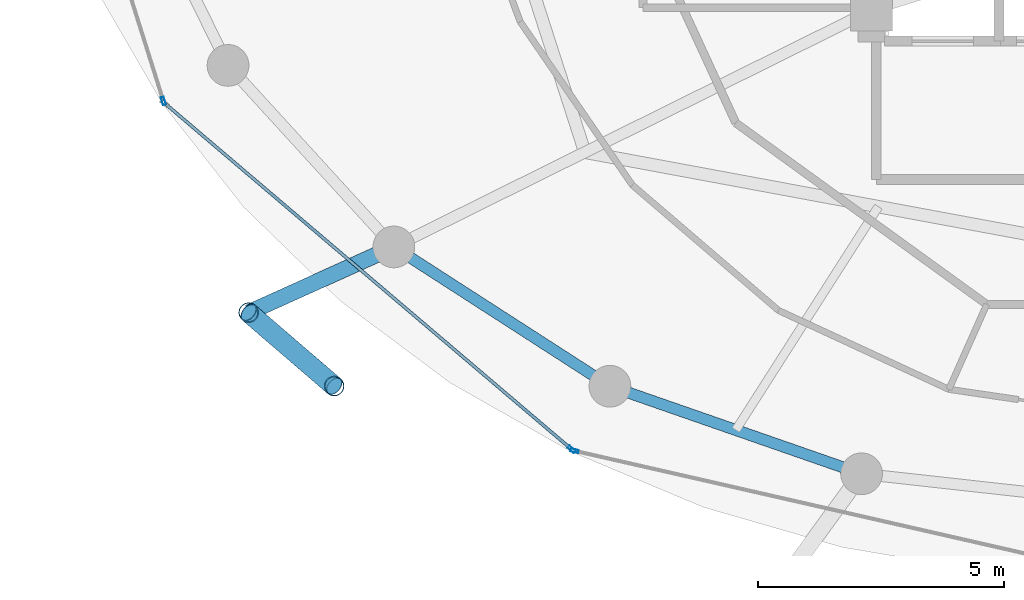
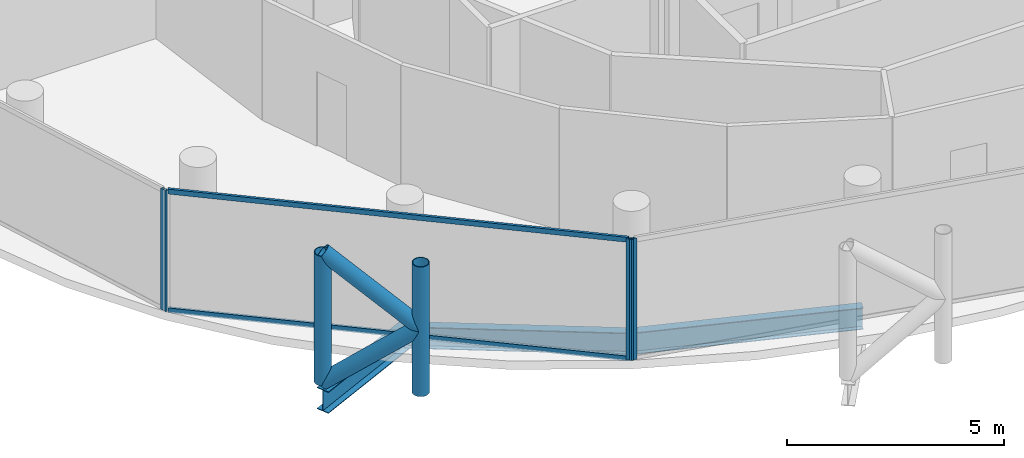
# One storey, part 2 of 27: 9 members, 3 beams, 3 elements without a shape of their own.
"""IFC4 building model written with IfcOpenShell, lengths in metres."""

import ifcopenshell
import ifcopenshell.guid

model = None  # the IFC model being written
_history = None  # IfcOwnerHistory: only IFC2X3 demands one
_inside = {}  # id of a spatial element -> (the spatial element, [elements in it])
_under = {}  # id of a project, library or spatial element -> (it, [spatial elements below it])
_declared = {}  # id of a project -> (the project, [libraries it declares])
_typed = {}  # id of a type object -> (the type object, [elements of that type])
_made_of = {}  # id of a material, layer set ... -> (it, [elements and type objects made of it])


def new_model(schema):
    """Start an empty IFC model of exactly this schema.

    Asked for "IFC4X3", IfcOpenShell would pick the latest addendum, in which some entities
    have other attributes; the version numbers below select the first issue.
    IFC2X3 requires an IfcOwnerHistory on every rooted entity: one is made here for all.
    """
    global model, _history
    if schema == "IFC4X3":
        model = ifcopenshell.file(schema_version=(4, 3, 0, 0))
    else:
        model = ifcopenshell.file(schema=schema)
    _inside.clear()
    _under.clear()
    _declared.clear()
    _typed.clear()
    _made_of.clear()
    _history = None
    if model.schema == "IFC2X3":
        org = make("IfcOrganization", Name="unknown")
        user = make(
            "IfcPersonAndOrganization",
            ThePerson=make("IfcPerson", FamilyName="unknown"),
            TheOrganization=org,
        )
        app = make(
            "IfcApplication",
            ApplicationDeveloper=org,
            Version="unknown",
            ApplicationFullName="unknown",
            ApplicationIdentifier="unknown",
        )
        _history = make(
            "IfcOwnerHistory",
            OwningUser=user,
            OwningApplication=app,
            ChangeAction="ADDED",
            CreationDate=0,
        )
    return model


def make(cls, **values):
    """One entity of the class cls with the attributes given. An attribute that is None is left unset."""
    return model.create_entity(
        cls, **{name: value for name, value in values.items() if value is not None}
    )


def rooted(cls, **values):
    """An entity with a GlobalId (a new one), such as an element, a storey or a relation."""
    return make(cls, GlobalId=ifcopenshell.guid.new(), OwnerHistory=_history, **values)


def si_unit(unit_type, name, prefix=None):
    """IfcSIUnit, for example si_unit("LENGTHUNIT", "METRE", prefix="MILLI")."""
    return make("IfcSIUnit", UnitType=unit_type, Prefix=prefix, Name=name)


def assignment(units):
    """IfcUnitAssignment: the units of a project."""
    return None if units is None else make("IfcUnitAssignment", Units=units)


def point(xyz):
    """IfcCartesianPoint."""
    return None if xyz is None else make("IfcCartesianPoint", Coordinates=xyz)


def direction(xyz):
    """IfcDirection."""
    return None if xyz is None else make("IfcDirection", DirectionRatios=xyz)


def frame(location, z_axis=None, x_axis=None):
    """IfcAxis2Placement3D, a coordinate frame: its origin and axes. An axis left out is left unset."""
    return make(
        "IfcAxis2Placement3D",
        Location=point(location),
        Axis=direction(z_axis),
        RefDirection=direction(x_axis),
    )


def frame_2d(location, x_axis=None):
    """IfcAxis2Placement2D, a coordinate frame in the plane: its origin and x axis."""
    return make(
        "IfcAxis2Placement2D", Location=point(location), RefDirection=direction(x_axis)
    )


def origin():
    """The frame at (0, 0, 0) with its axes left unset."""
    return frame((0.0, 0.0, 0.0))


def origin_2d():
    """The frame at (0, 0) in the plane with its x axis left unset."""
    return frame_2d((0.0, 0.0))


def place(relative_to, where):
    """IfcLocalPlacement: puts the frame where relative to a parent placement (None: the world)."""
    return make(
        "IfcLocalPlacement", PlacementRelTo=relative_to, RelativePlacement=where
    )


def context(
    kind, dimensions, precision=None, world=None, true_north=None, identifier=None
):
    """IfcGeometricRepresentationContext, for example the 3D "Model" context."""
    return make(
        "IfcGeometricRepresentationContext",
        ContextIdentifier=identifier,
        ContextType=kind,
        CoordinateSpaceDimension=dimensions,
        Precision=precision,
        WorldCoordinateSystem=world,
        TrueNorth=true_north,
    )


def subcontext(parent, identifier, kind, view, scale=None):
    """IfcGeometricRepresentationSubContext, for example "Body" below "Model"."""
    return make(
        "IfcGeometricRepresentationSubContext",
        ContextIdentifier=identifier,
        ContextType=kind,
        ParentContext=parent,
        TargetScale=scale,
        TargetView=view,
    )


def project(units=None, contexts=None):
    """IfcProject with its units and contexts."""
    return rooted(
        "IfcProject",
        Name="project",
        RepresentationContexts=contexts,
        UnitsInContext=assignment(units),
    )


def spatial(cls, under=None, at=None, **own):
    """A site, building, storey or space (cls), placed at a placement, below another one or the project."""
    s = rooted(cls, ObjectPlacement=at, **own)
    if under is not None:
        _under.setdefault(under.id(), (under, []))[1].append(s)
    return s


def profile(cls, at=None, kind="AREA", **sizes):
    """A parametric profile (cls). Its sizes go by their IFC names, for example OverallWidth=200.0."""
    return make(cls, ProfileType=kind, Position=at, **sizes)


def hollow_rectangle(**sizes):
    """IfcRectangleHollowProfileDef."""
    return profile("IfcRectangleHollowProfileDef", **sizes)


def hollow_circle(**sizes):
    """IfcCircleHollowProfileDef."""
    return profile("IfcCircleHollowProfileDef", **sizes)


def i_section(**sizes):
    """IfcIShapeProfileDef."""
    return profile("IfcIShapeProfileDef", **sizes)


def extrude(swept, where, along, depth):
    """IfcExtrudedAreaSolid: the profile swept, set in the frame where, extruded along a direction by depth."""
    return make(
        "IfcExtrudedAreaSolid",
        SweptArea=swept,
        Position=where,
        ExtrudedDirection=direction(along),
        Depth=depth,
    )


def shape(context_of_items, identifier, shape_type, items):
    """IfcShapeRepresentation: the items that make up one representation, for example the "Body"."""
    return make(
        "IfcShapeRepresentation",
        ContextOfItems=context_of_items,
        RepresentationIdentifier=identifier,
        RepresentationType=shape_type,
        Items=items,
    )


def material(Name=None, Category=None):
    """IfcMaterial."""
    return make("IfcMaterial", Name=Name, Category=Category)


def layer(
    of_material, thickness, ventilated=None, Name=None, Category=None, Priority=None
):
    """IfcMaterialLayer: one layer of a wall or slab, of a material (None: an air gap)."""
    return make(
        "IfcMaterialLayer",
        Material=of_material,
        LayerThickness=thickness,
        IsVentilated=ventilated,
        Name=Name,
        Category=Category,
        Priority=Priority,
    )


def layer_set(layers, Name=None):
    """IfcMaterialLayerSet."""
    return make("IfcMaterialLayerSet", MaterialLayers=layers, LayerSetName=Name)


def material_profile(
    of_material, cross_section, Name=None, Category=None, Priority=None
):
    """IfcMaterialProfile: a cross section and its material."""
    return make(
        "IfcMaterialProfile",
        Name=Name,
        Material=of_material,
        Profile=cross_section,
        Priority=Priority,
        Category=Category,
    )


def profile_set(profiles, Name=None, composite=None):
    """IfcMaterialProfileSet."""
    return make(
        "IfcMaterialProfileSet",
        Name=Name,
        MaterialProfiles=profiles,
        CompositeProfile=composite,
    )


def made_of(thing, what):
    """Note that an element or type object is made of a material, layer set ...; save() writes the relation."""
    if what is not None:
        _made_of.setdefault(what.id(), (what, []))[1].append(thing)
    return thing


def type_object(cls, material=None, **own):
    """A type object (cls), such as IfcWallType, which elements share."""
    return made_of(rooted(cls, **own), material)


def element(
    cls,
    number,
    at=None,
    inside=None,
    cuts=None,
    type_object=None,
    material=None,
    context=None,
    identifier="Body",
    shape_type=None,
    held_by="IfcProductDefinitionShape",
    body=None,
    shapes=None,
    **own,
):
    """One element of the class cls, such as IfcWall. Its Tag is "e" and its number.

    at: its placement. inside: the storey or other place that contains it. cuts: it is an
    opening in that element (IfcRelVoidsElement). A single representation is given by context,
    identifier, shape_type and body (its items); several are given by shapes. held_by: the class
    of the entity that holds the representations. save() writes the other relations.
    """
    e = rooted(cls, Tag="e%d" % number, ObjectPlacement=at, **own)
    if body is not None:
        shapes = [shape(context, identifier, shape_type, body)]
    if shapes is not None:
        e.Representation = make(held_by, Representations=shapes)
    if inside is not None:
        _inside.setdefault(inside.id(), (inside, []))[1].append(e)
    if cuts is not None:
        rooted(
            "IfcRelVoidsElement", RelatingBuildingElement=cuts, RelatedOpeningElement=e
        )
    if type_object is not None:
        _typed.setdefault(type_object.id(), (type_object, []))[1].append(e)
    return made_of(e, material)


def aggregate(whole, parts):
    """IfcRelAggregates: a whole, such as a stair, and the parts it consists of."""
    return rooted("IfcRelAggregates", RelatingObject=whole, RelatedObjects=parts)


def save(model, path):
    """Write the relations noted so far, then the file.

    IfcRelAggregates (storeys below a building ...), IfcRelContainedInSpatialStructure (elements
    in a storey), IfcRelDefinesByType, IfcRelAssociatesMaterial and IfcRelDeclares: one each for
    every whole, place, type object, material and project.
    """
    for whole, parts in _under.values():
        aggregate(whole, parts)
    for where, things in _inside.values():
        rooted(
            "IfcRelContainedInSpatialStructure",
            RelatedElements=things,
            RelatingStructure=where,
        )
    for kind, things in _typed.values():
        rooted("IfcRelDefinesByType", RelatedObjects=things, RelatingType=kind)
    for what, things in _made_of.values():
        rooted("IfcRelAssociatesMaterial", RelatedObjects=things, RelatingMaterial=what)
    for by, libraries in _declared.values():
        rooted("IfcRelDeclares", RelatingContext=by, RelatedDefinitions=libraries)
    model.write(path)


model = new_model("IFC4")

# Units and contexts
model_context = context("Model", 3, precision=1e-05, world=origin(), true_north=direction((0.0, 1.0)))
body_context = subcontext(model_context, "Body", "Model", "MODEL_VIEW")
ifc_project = project(units=[si_unit("LENGTHUNIT", "METRE"), si_unit("AREAUNIT", "SQUARE_METRE"), si_unit("VOLUMEUNIT", "CUBIC_METRE"), si_unit("PLANEANGLEUNIT", "RADIAN"), si_unit("MASSUNIT", "GRAM", prefix="KILO")], contexts=[model_context])

# Site, building, storey
site_placement = place(None, origin())
site = spatial("IfcSite", under=ifc_project, at=site_placement, CompositionType="ELEMENT")
building_placement = place(site_placement, origin())
building = spatial("IfcBuilding", under=site, at=building_placement, Name="Nuhasar Tower", CompositionType="ELEMENT")
storey_placement = place(building_placement, frame((0.0, 0.0, 219.10009765625)))
storey = spatial("IfcBuildingStorey", under=building, at=storey_placement, Name="L53", CompositionType="ELEMENT", Elevation=219.10009765625)

# Beams
ifc_material_1 = material(Name="Steel S355", Category="steel")
ifc_material_profile_1 = material_profile(ifc_material_1, i_section(OverallWidth=0.22802734375, OverallDepth=0.60791015625, WebThickness=0.01123046875, FlangeThickness=0.017333984375, at=origin_2d()), Name="W24X76")
ifc_profile_set_1 = profile_set([ifc_material_profile_1], Name="Steel S355")
beam_type_1 = type_object("IfcBeamType", Name="BM-RING-W24X76", PredefinedType="SPANDREL", material=ifc_profile_set_1)
beam_1_placement = place(storey_placement, frame((23.97412109375, 14.177978515625, -0.544189453125), z_axis=(0.840502144969, -0.541808217272, 0.0), x_axis=(0.541808217272, 0.840502144969, 0.0)))
element("IfcBeam", 1, at=beam_1_placement, inside=storey, type_object=beam_type_1, Name="L53 Perimeter Ring Spandrel 16", PredefinedType="SPANDREL", context=body_context, shape_type="SweptSolid", body=[
    extrude(i_section(OverallWidth=0.22802734375, OverallDepth=0.60791015625, WebThickness=0.01123046875, FlangeThickness=0.017333984375, at=origin_2d()), origin(), (0.0, 0.0, 1.0), 5.236083984375),
])
beam_2_placement = place(storey_placement, frame((28.375, 11.341064453125, -0.544189453125), z_axis=(0.944476764686, -0.328578211342, 0.0), x_axis=(0.328578211342, 0.944476764686, 0.0)))
element("IfcBeam", 2, at=beam_2_placement, inside=storey, type_object=beam_type_1, Name="L53 Perimeter Ring Spandrel 17", PredefinedType="SPANDREL", context=body_context, shape_type="SweptSolid", body=[
    extrude(i_section(OverallWidth=0.22802734375, OverallDepth=0.60791015625, WebThickness=0.01123046875, FlangeThickness=0.017333984375, at=origin_2d()), origin(), (0.0, 0.0, 1.0), 5.42626953125),
])
ifc_material_profile_2 = material_profile(ifc_material_1, i_section(OverallWidth=0.323974609375, OverallDepth=0.611083984375, WebThickness=0.0126953125, FlangeThickness=0.01904296875, at=origin_2d()), Name="W24X104")
ifc_profile_set_2 = profile_set([ifc_material_profile_2], Name="Steel S355")
beam_type_2 = type_object("IfcBeamType", Name="BM-TIE-W24X104", PredefinedType="BEAM", material=ifc_profile_set_2)
beam_3_placement = place(storey_placement, frame((23.97412109375, 14.177978515625, -0.545166015625), z_axis=(-0.911363318082, -0.411602845538, 0.0), x_axis=(0.411602845538, -0.911363318082, 0.0)))
element("IfcBeam", 3, at=beam_3_placement, inside=storey, type_object=beam_type_2, Name="L53 Exoskeleton Node Tie Beam 08", PredefinedType="BEAM", context=body_context, shape_type="SweptSolid", body=[
    extrude(i_section(OverallWidth=0.323974609375, OverallDepth=0.611083984375, WebThickness=0.0126953125, FlangeThickness=0.01904296875, at=origin_2d()), origin(), (0.0, 0.0, 1.0), 3.24560546875),
])

# Curtain wall, member
ifc_material_2 = material(Name="Aluminium 6063-T6", Category="aluminium")
ifc_layer = layer(ifc_material_2, 0.18994140625)
ifc_layer_set = layer_set([ifc_layer], Name="Aluminium 6063-T6")
curtain_wall_type = type_object("IfcCurtainWallType", Name="CW-Z3-RES", PredefinedType="NOTDEFINED", material=ifc_layer_set)
curtain_wall_1_placement = place(storey_placement, origin())
curtain_wall_1 = element("IfcCurtainWall", 4, at=curtain_wall_1_placement, inside=storey, type_object=curtain_wall_type, Name="L53 Unitised Curtain Wall 07", PredefinedType="NOTDEFINED")
ifc_material_profile_3 = material_profile(ifc_material_2, hollow_rectangle(XDim=0.06494140625, YDim=0.169921875, WallThickness=0.0048828125, at=origin_2d()), Name="CWM-4")
ifc_profile_set_3 = profile_set([ifc_material_profile_3], Name="Aluminium 6063-T6")
member_type_1 = type_object("IfcMemberType", Name="CW-MUL-S4", PredefinedType="MULLION", material=ifc_profile_set_3)
member_1_placement = place(storey_placement, frame((19.279296875, 17.15087890625, 0.0), z_axis=(0.0, 0.0, 1.0), x_axis=(0.95380429279, 0.30042864553, 0.0)))
member_1 = element("IfcMember", 5, at=member_1_placement, type_object=member_type_1, Name="CW-Z3 mullion 2", PredefinedType="MULLION", context=body_context, shape_type="SweptSolid", body=[
    extrude(hollow_rectangle(XDim=0.06494140625, YDim=0.169921875, WallThickness=0.0048828125, at=origin_2d()), origin(), (0.0, 0.0, 1.0), 3.409912109375),
])
aggregate(curtain_wall_1, [member_1])

curtain_wall_2_placement = place(storey_placement, origin())
curtain_wall_2 = element("IfcCurtainWall", 6, at=curtain_wall_2_placement, inside=storey, type_object=curtain_wall_type, Name="L53 Unitised Curtain Wall 08", PredefinedType="NOTDEFINED")
member_2_placement = place(storey_placement, frame((27.59521484375, 10.05517578125, 0.0), z_axis=(0.0, 0.0, 1.0), x_axis=(0.64789521578, 0.761729472562, 0.0)))
member_2 = element("IfcMember", 7, at=member_2_placement, type_object=member_type_1, Name="CW-Z3 mullion 2", PredefinedType="MULLION", context=body_context, shape_type="SweptSolid", body=[
    extrude(hollow_rectangle(XDim=0.06494140625, YDim=0.169921875, WallThickness=0.0048828125, at=origin_2d()), origin(), (0.0, 0.0, 1.0), 3.409912109375),
])

curtain_wall_3_placement = place(storey_placement, origin())
curtain_wall_3 = element("IfcCurtainWall", 8, at=curtain_wall_3_placement, inside=storey, type_object=curtain_wall_type, Name="L53 Unitised Curtain Wall 09", PredefinedType="NOTDEFINED")
member_3_placement = place(storey_placement, frame((27.651611328125, 10.02685546875, 0.0), z_axis=(0.0, 0.0, 1.0), x_axis=(0.222243176313, 0.974991266926, 0.0)))
member_3 = element("IfcMember", 9, at=member_3_placement, type_object=member_type_1, Name="CW-Z3 mullion 1", PredefinedType="MULLION", context=body_context, shape_type="SweptSolid", body=[
    extrude(hollow_rectangle(XDim=0.06494140625, YDim=0.169921875, WallThickness=0.0048828125, at=origin_2d()), origin(), (0.0, 0.0, 1.0), 3.409912109375),
])
aggregate(curtain_wall_3, [member_3])

# Member
ifc_material_profile_4 = material_profile(ifc_material_2, hollow_rectangle(XDim=0.06494140625, YDim=0.139892578125, WallThickness=0.00439453125, at=origin_2d()), Name="CWT-4")
ifc_profile_set_4 = profile_set([ifc_material_profile_4], Name="Aluminium 6063-T6")
member_type_2 = type_object("IfcMemberType", Name="CW-TRN-S4", PredefinedType="USERDEFINED", material=ifc_profile_set_4)
member_4_placement = place(storey_placement, frame((19.338623046875, 17.077880859375, 0.032470703125), z_axis=(0.761730809511, -0.647893643928, 0.0), x_axis=(0.647893643928, 0.761730809511, 0.0)))
member_4 = element("IfcMember", 10, at=member_4_placement, type_object=member_type_2, Name="CW-Z3 transom 1.1", ObjectType="TRANSOM", PredefinedType="USERDEFINED", context=body_context, shape_type="SweptSolid", body=[
    extrude(hollow_rectangle(XDim=0.06494140625, YDim=0.139892578125, WallThickness=0.00439453125, at=origin_2d()), origin(), (0.0, 0.0, 1.0), 10.806884765625),
])

member_5_placement = place(storey_placement, frame((19.338623046875, 17.077880859375, 3.37744140625), z_axis=(0.761730809511, -0.647893643928, 0.0), x_axis=(0.647893643928, 0.761730809511, 0.0)))
member_5 = element("IfcMember", 11, at=member_5_placement, type_object=member_type_2, Name="CW-Z3 transom 1.2", ObjectType="TRANSOM", PredefinedType="USERDEFINED", context=body_context, shape_type="SweptSolid", body=[
    extrude(hollow_rectangle(XDim=0.06494140625, YDim=0.139892578125, WallThickness=0.00439453125, at=origin_2d()), origin(), (0.0, 0.0, 1.0), 10.806884765625),
])

aggregate(curtain_wall_2, [member_2, member_4, member_5])

# Members
ifc_material_3 = material(Name="Steel S460", Category="steel")
ifc_material_profile_5 = material_profile(ifc_material_3, hollow_circle(Radius=0.203125, WallThickness=0.01904296875, at=origin_2d()), Name="HSS406.4X19.1")
ifc_profile_set_5 = profile_set([ifc_material_profile_5], Name="Steel S460")
member_type_3 = type_object("IfcMemberType", Name="EXO-BRONZE-406", PredefinedType="BRACE", material=ifc_profile_set_5)
for number, where, z_axis, x_axis, name in (
    (12, (21.01611328125, 12.842041015625, 0.0), (0.0, 0.0, 1.0), (1.0, 0.0, 0.0), "L53 Exoskeleton Chord Column EC-08A"),
    (13, (22.760009765625, 11.343017578125, 0.0), (0.0, 0.0, 1.0), (1.0, 0.0, 0.0), "L53 Exoskeleton Chord Column EC-08B"),
):
    element("IfcMember", number, at=place(storey_placement, frame(where, z_axis=z_axis, x_axis=x_axis)), inside=storey, type_object=member_type_3, Name=name, PredefinedType="BRACE", context=body_context, shape_type="SweptSolid", body=[
        extrude(hollow_circle(Radius=0.203125, WallThickness=0.01904296875, at=origin_2d()), origin(), (0.0, 0.0, 1.0), 3.64990234375),
    ])
for number, where, z_axis, x_axis, name in (
    (14, (21.01611328125, 12.842041015625, 0.0), (0.594018535389, -0.510608120858, 0.621627964725), (0.65185738425, 0.758341579104, 0.0), "L53 Bronze Diagrid Brace W1-08"),
    (15, (22.760009765625, 11.343017578125, 1.824951171875), (-0.594018535389, 0.510608120858, 0.621627964725), (-0.65185738425, -0.758341579104, 0.0), "L53 Bronze Diagrid Brace W2-08"),
):
    element("IfcMember", number, at=place(storey_placement, frame(where, z_axis=z_axis, x_axis=x_axis)), inside=storey, type_object=member_type_3, Name=name, PredefinedType="BRACE", context=body_context, shape_type="SweptSolid", body=[
        extrude(hollow_circle(Radius=0.203125, WallThickness=0.01904296875, at=origin_2d()), origin(), (0.0, 0.0, 1.0), 2.935791015625),
    ])

save(model, "model.ifc")
